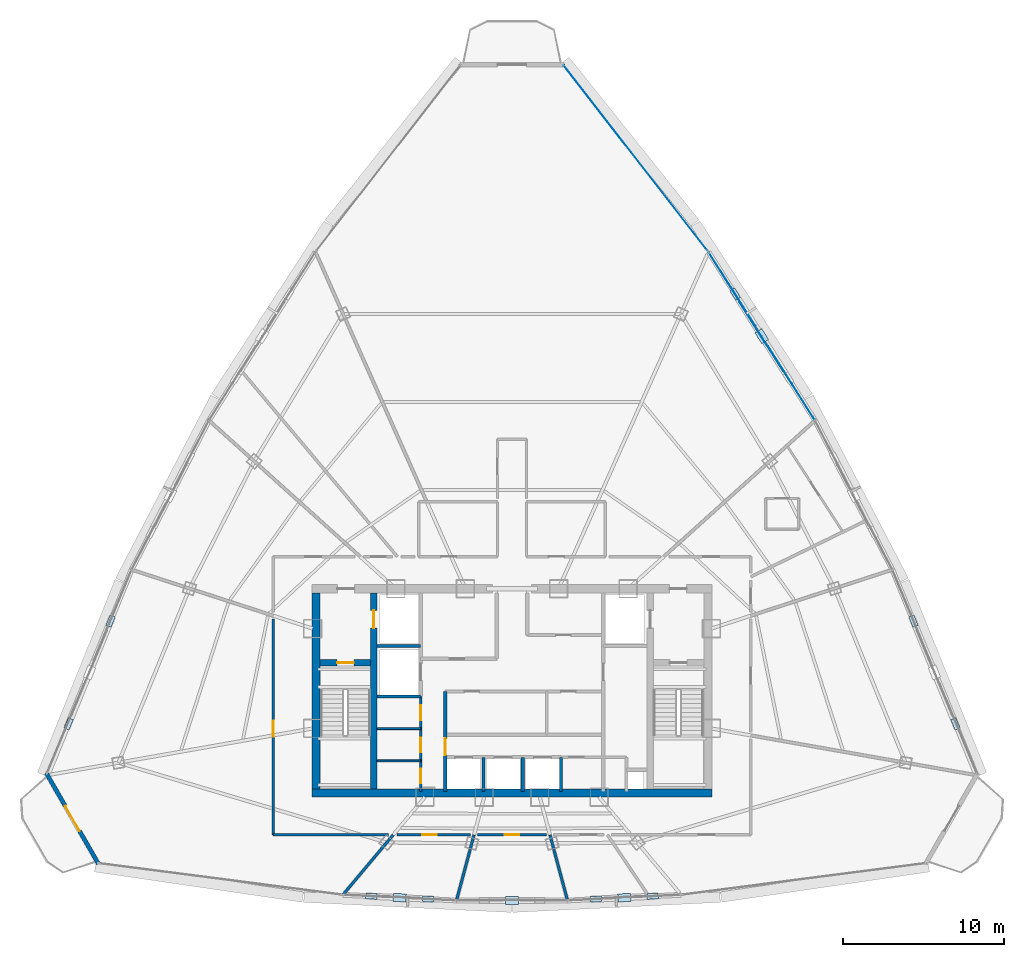
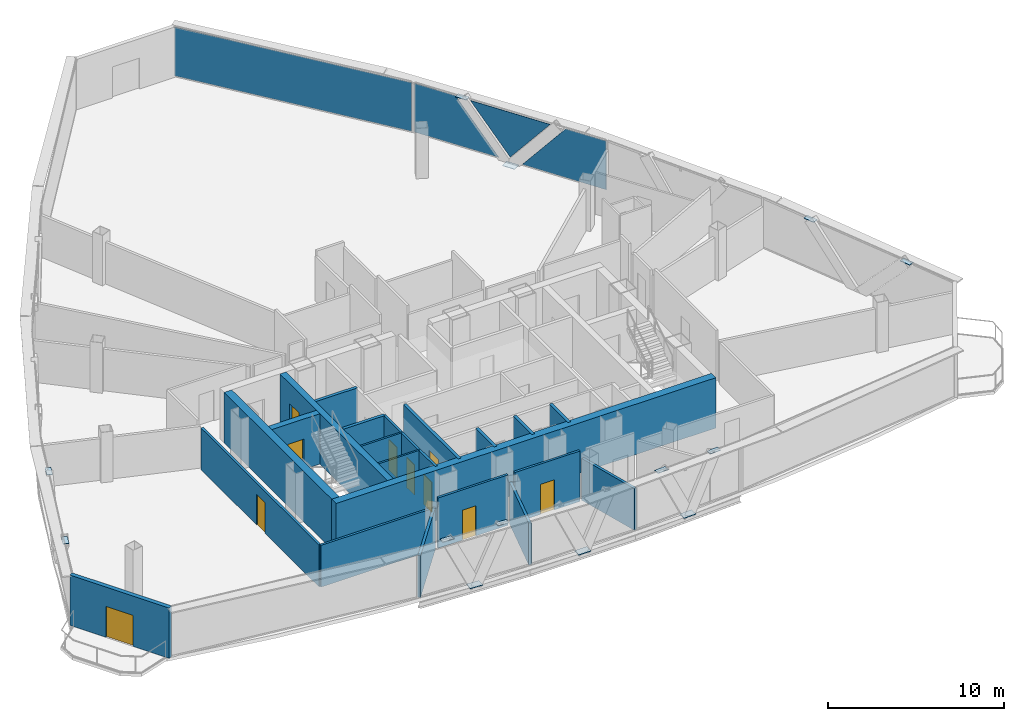
# One storey, part 27 of 33: 21 walls, 17 plates, 10 doors, 10 openings, 2 elements without a shape of their own.
"""IFC4 building model written with IfcOpenShell, lengths in metres."""

from ifc_helpers import new_model, si_unit, direction, frame, frame_2d, origin, origin_with_axes, origin_2d, place, context, subcontext, project, spatial, polyline, rectangle, outline, extrude, source, transform, mapped, material, layer, layer_set, type_object, element, fill, aggregate, save


model = new_model("IFC4")

# Units and contexts
model_context = context("Model", 3, precision=1e-05, world=origin(), true_north=direction((0.0, 1.0)))
body_context = subcontext(model_context, "Body", "Model", "MODEL_VIEW")
ifc_project = project(units=[si_unit("LENGTHUNIT", "METRE"), si_unit("AREAUNIT", "SQUARE_METRE"), si_unit("VOLUMEUNIT", "CUBIC_METRE"), si_unit("PLANEANGLEUNIT", "RADIAN"), si_unit("MASSUNIT", "GRAM", prefix="KILO"), si_unit("THERMODYNAMICTEMPERATUREUNIT", "KELVIN"), si_unit("POWERUNIT", "WATT")], contexts=[model_context])

# Site, building, storey
site_placement = place(None, origin())
site = spatial("IfcSite", under=ifc_project, at=site_placement, CompositionType="ELEMENT")
building_placement = place(site_placement, origin())
building = spatial("IfcBuilding", under=site, at=building_placement, Name="Yunzhuo Pagoda Commons", CompositionType="ELEMENT")
storey_placement = place(building_placement, frame((0.0, 0.0, 329.260009765625)))
storey = spatial("IfcBuildingStorey", under=building, at=storey_placement, Name="L82", CompositionType="ELEMENT", Elevation=329.260009765625)

# Curtain wall, plates
ifc_material_1 = material(Name="Anodized aluminium 6063-T6", Category="aluminium")
ifc_layer_1 = layer(ifc_material_1, 0.139892578125)
ifc_layer_set_1 = layer_set([ifc_layer_1], Name="Anodized aluminium 6063-T6")
curtain_wall_type = type_object("IfcCurtainWallType", Name="CW-HI High-Zone Ribbon Curtain Wall", PredefinedType="NOTDEFINED", material=ifc_layer_set_1)
curtain_wall_1_placement = place(storey_placement, origin())
curtain_wall_1 = element("IfcCurtainWall", 1, at=curtain_wall_1_placement, inside=storey, type_object=curtain_wall_type, Name="L82 curtain wall CW-L82-F2B4", PredefinedType="NOTDEFINED")
ifc_material_2 = material(Name="Tempered low-e double glazing", Category="glass")
ifc_layer_2 = layer(ifc_material_2, 0.02587890625)
ifc_layer_set_2 = layer_set([ifc_layer_2], Name="Tempered low-e double glazing")
plate_type_1 = type_object("IfcPlateType", Name="CW-HI-P Low-E Double Glazing 26", PredefinedType="CURTAIN_PANEL", material=ifc_layer_set_2)
plate_1_placement = place(storey_placement, frame((65.360595703125, 52.9853515625, 1.744873046875), z_axis=(0.845148830397, 0.534531060349, 0.0), x_axis=(-0.534531060349, 0.845148830397, 0.0)))
plate_1 = element("IfcPlate", 2, at=plate_1_placement, type_object=plate_type_1, Name="CW panel 1.1 lite 1", PredefinedType="CURTAIN_PANEL", context=body_context, shape_type="SweptSolid", body=[
    extrude(outline(polyline([(-2.692138671875, -1.68994140625), (2.692138671875, -1.68994140625), (-0.100830078125, 1.68994140625), (-2.692138671875, 1.68994140625), (-2.692138671875, -1.68994140625)])), origin(), (0.0, 0.0, 1.0), 0.028076171875),
])
plate_2_placement = place(storey_placement, frame((63.49365234375, 55.88134765625, 1.8857421875), z_axis=(0.845148830397, 0.534531060349, 0.0), x_axis=(-0.534531060349, 0.845148830397, 0.0)))
plate_2 = element("IfcPlate", 3, at=plate_2_placement, type_object=plate_type_1, Name="CW panel 1.1 lite 2", PredefinedType="CURTAIN_PANEL", context=body_context, shape_type="SweptSolid", body=[
    extrude(outline(polyline([(-2.560302734375, 1.54931640625), (0.0, -1.54931640625), (2.560302734375, 1.54931640625), (-2.560302734375, 1.54931640625)])), origin(), (0.0, 0.0, 1.0), 0.028076171875),
])
plate_3_placement = place(storey_placement, frame((61.67724609375, 58.80908203125, 1.744873046875), z_axis=(0.845148830397, 0.534531060349, 0.0), x_axis=(-0.534531060349, 0.845148830397, 0.0)))
plate_3 = element("IfcPlate", 4, at=plate_3_placement, type_object=plate_type_1, Name="CW panel 1.1 lite 3", PredefinedType="CURTAIN_PANEL", context=body_context, shape_type="SweptSolid", body=[
    extrude(outline(polyline([(-2.692138671875, -1.68994140625), (2.692138671875, -1.68994140625), (2.692138671875, 1.68994140625), (0.100830078125, 1.68994140625), (-2.692138671875, -1.68994140625)])), origin(), (0.0, 0.0, 1.0), 0.028076171875),
])
aggregate(curtain_wall_1, [plate_1, plate_2, plate_3])

# Plates
ifc_material_3 = material(Name="Structural steel Q355B", Category="steel")
ifc_layer_3 = layer(ifc_material_3, 0.028076171875)
ifc_layer_set_3 = layer_set([ifc_layer_3], Name="Structural steel Q355B")
plate_type_2 = type_object("IfcPlateType", Name="SP-ND1 Lattice Node Cap Plate 800x500x28", PredefinedType="USERDEFINED", material=ifc_layer_set_3)
shared_shape_1 = source(origin(), body_context, "Body", "SweptSolid", [
    extrude(rectangle(XDim=0.800048828125, YDim=0.5, at=origin_2d()), origin(), (0.0, 0.0, 1.0), 0.028076171875),
])
for number, where, z_axis, x_axis, name in (
    (5, (41.016845703125, 20.9931640625, -0.27392578125), (0.0, 0.0, 1.0), (0.998757045498, -0.049843395432, 0.0), "L82 diamond node plate F1.1A"),
    (6, (48.0, 20.81689453125, -0.27392578125), (0.0, 0.0, 1.0), (1.0, 0.0, 0.0), "L82 diamond node plate F1.2A"),
    (7, (54.983154296875, 20.9931640625, -0.27392578125), (0.0, 0.0, 1.0), (0.998757045498, 0.049843395432, 0.0), "L82 diamond node plate F1.3A"),
    (8, (63.531005859375, 55.90478515625, -0.27392578125), (0.0, 0.0, 1.0), (-0.534529368893, 0.84514990019, 0.0), "L82 diamond node plate F2.3A"),
):
    element("IfcPlate", number, at=place(storey_placement, frame(where, z_axis=z_axis, x_axis=x_axis)), inside=storey, type_object=plate_type_2, Name=name, ObjectType="STIFFENER_PLATE", PredefinedType="USERDEFINED", context=body_context, shape_type="MappedRepresentation", body=[
        mapped(shared_shape_1, transform((0.0, 0.0, 0.0), scale=1.0)),
    ])
shared_shape_2 = source(origin(), body_context, "Body", "SweptSolid", [
    extrude(rectangle(XDim=0.699951171875, YDim=0.35009765625, at=origin_2d()), origin(), (0.0, 0.0, 1.0), 0.035888671875),
])
for number, where, z_axis, x_axis, name in (
    (9, (39.251220703125, 21.081298828125, 3.4521484375), (0.0, 0.0, 1.0), (0.998757045498, -0.049843395432, 0.0), "L82 setback lattice tie plate F1.1L"),
    (10, (42.782470703125, 20.905029296875, 3.4521484375), (0.0, 0.0, 1.0), (0.998757045498, -0.049843395432, 0.0), "L82 setback lattice tie plate F1.1R"),
    (11, (53.217529296875, 20.905029296875, 3.4521484375), (0.0, 0.0, 1.0), (0.998757045498, 0.049843395432, 0.0), "L82 setback lattice tie plate F1.3L"),
    (12, (56.748779296875, 21.081298828125, 3.4521484375), (0.0, 0.0, 1.0), (0.998757045498, 0.049843395432, 0.0), "L82 setback lattice tie plate F1.3R"),
    (13, (75.571044921875, 31.80224609375, 3.4521484375), (0.0, 0.0, 1.0), (-0.378567847265, 0.925573543819, 0.0), "L82 setback lattice tie plate F2.1L"),
    (14, (72.9580078125, 38.190673828125, 3.4521484375), (0.0, 0.0, 1.0), (-0.378567847265, 0.925573543819, 0.0), "L82 setback lattice tie plate F2.1R"),
    (15, (61.87451171875, 58.523681640625, 3.4521484375), (0.0, 0.0, 1.0), (-0.534529368893, 0.84514990019, 0.0), "L82 setback lattice tie plate F2.3R"),
    (16, (23.0419921875, 38.190673828125, 3.4521484375), (0.0, 0.0, 1.0), (-0.378567847265, -0.925573543819, 0.0), "L82 setback lattice tie plate F3.3L"),
    (17, (20.428955078125, 31.80224609375, 3.4521484375), (0.0, 0.0, 1.0), (-0.378567847265, -0.925573543819, 0.0), "L82 setback lattice tie plate F3.3R"),
):
    element("IfcPlate", number, at=place(storey_placement, frame(where, z_axis=z_axis, x_axis=x_axis)), inside=storey, type_object=plate_type_2, Name=name, ObjectType="STIFFENER_PLATE", PredefinedType="USERDEFINED", context=body_context, shape_type="MappedRepresentation", body=[
        mapped(shared_shape_2, transform((0.0, 0.0, 0.0), scale=1.0)),
    ])

# Curtain wall, plate
curtain_wall_2_placement = place(storey_placement, origin())
curtain_wall_2 = element("IfcCurtainWall", 18, at=curtain_wall_2_placement, inside=storey, type_object=curtain_wall_type, Name="L82 curtain wall CW-L82-F2B5", PredefinedType="NOTDEFINED")
shared_shape_3 = source(origin(), body_context, "Body", "SweptSolid", [
    extrude(rectangle(XDim=14.537353515625, YDim=0.028076171875, at=origin_2d()), origin(), (0.0, 0.0, 1.0), 3.3798828125),
])
plate_4_placement = place(storey_placement, frame((55.680419921875, 66.99267578125, 0.054931640625), z_axis=(0.0, 0.0, 1.0), x_axis=(-0.612917502921, 0.790146906982, 0.0)))
plate_4 = element("IfcPlate", 19, at=plate_4_placement, type_object=plate_type_1, Name="CW panel 1.1", PredefinedType="CURTAIN_PANEL", context=body_context, shape_type="MappedRepresentation", body=[
    mapped(shared_shape_3, transform((0.0, 0.0, 0.0), scale=1.0)),
])
aggregate(curtain_wall_2, [plate_4])

# Wall, opening, door
ifc_material_4 = material(Name="Precast concrete C40", Category="concrete")
ifc_layer_4 = layer(ifc_material_4, 0.260009765625)
ifc_layer_set_4 = layer_set([ifc_layer_4], Name="Precast concrete C40")
wall_type_1 = type_object("IfcWallType", Name="W-BAL1 Corner Balcony Threshold Wall 260", PredefinedType="STANDARD", material=ifc_layer_set_4)
wall_1_placement = place(storey_placement, frame((19.044677734375, 28.739013671875, 0.0), z_axis=(0.0, 0.0, 1.0), x_axis=(0.49793434898, -0.867214727796, 0.0)))
wall_1 = element("IfcWall", 20, at=wall_1_placement, inside=storey, type_object=wall_type_1, Name="L82 corner balcony wall V1", PredefinedType="STANDARD", context=body_context, shape_type="SweptSolid", body=[
    extrude(rectangle(XDim=6.5126953125, YDim=0.260009765625, at=frame_2d((3.25634765625, 0.0))), origin(), (0.0, 0.0, 1.0), 3.489990234375),
])
opening_1_placement = place(wall_1_placement, frame((2.3564453125, 0.0, 0.0)))
opening_1 = element("IfcOpeningElement", 21, at=opening_1_placement, cuts=wall_1, Name="Opening D-BAL1", PredefinedType="OPENING", context=body_context, shape_type="SweptSolid", body=[
    extrude(rectangle(XDim=1.800048828125, YDim=2.14990234375, at=frame_2d((0.89990234375, 1.074951171875))), frame((0.0, 0.14013671875, 0.0), z_axis=(0.0, -1.0, 0.0), x_axis=(1.0, 0.0, 0.0)), (0.0, 0.0, 1.0), 0.280029296875),
])
ifc_material_5 = material(Name="Anodized aluminium frame and tempered glazed leaf", Category="aluminium")
door_type_1 = type_object("IfcDoorType", Name="D-BAL1 Corner Balcony Sliding Glazed Door 1800x2150", OperationType="DOUBLE_DOOR_SLIDING", PredefinedType="DOOR", material=ifc_material_5)
shared_shape_4 = source(origin(), body_context, "Body", "SweptSolid", [
    extrude(rectangle(XDim=1.800048828125, YDim=2.14990234375, at=frame_2d((0.89990234375, 1.074951171875))), frame((0.0, 0.02490234375, 0.0), z_axis=(0.0, -1.0, 0.0), x_axis=(1.0, 0.0, 0.0)), (0.0, 0.0, 1.0), 0.050048828125),
])
door_1_placement = place(opening_1_placement, origin_with_axes())
door_1 = element("IfcDoor", 22, at=door_1_placement, inside=storey, type_object=door_type_1, Name="L82 corner balcony sliding door V1", OperationType="DOUBLE_DOOR_SLIDING", OverallHeight=2.14990234375, OverallWidth=1.800048828125, PredefinedType="DOOR", context=body_context, shape_type="MappedRepresentation", body=[
    mapped(shared_shape_4, transform((0.0, 0.0, 0.0), scale=1.0)),
])
fill(opening_1, door_1)

# Walls
ifc_material_6 = material(Name="Concrete C50", Category="concrete")
ifc_layer_5 = layer(ifc_material_6, 0.5)
ifc_layer_set_5 = layer_set([ifc_layer_5], Name="Concrete C50")
wall_type_2 = type_object("IfcWallType", Name="W-C03 Upper Core Shear Wall 500", PredefinedType="SHEAR", material=ifc_layer_set_5)
wall_2_placement = place(storey_placement, frame((35.550048828125, 27.5, 0.0), z_axis=(0.0, 0.0, 1.0), x_axis=(1.0, 0.0, 0.0)))
element("IfcWall", 23, at=wall_2_placement, inside=storey, type_object=wall_type_2, Name="L82 core shear wall S", PredefinedType="SHEAR", context=body_context, shape_type="SweptSolid", body=[
    extrude(rectangle(XDim=24.89990234375, YDim=0.5, at=frame_2d((12.449951171875, 0.0))), origin(), (0.0, 0.0, 1.0), 3.489990234375),
])
wall_3_placement = place(storey_placement, frame((35.800048828125, 27.75, 0.0), z_axis=(0.0, 0.0, 1.0), x_axis=(0.0, 1.0, 0.0)))
element("IfcWall", 24, at=wall_3_placement, inside=storey, type_object=wall_type_2, Name="L82 core shear wall W", PredefinedType="SHEAR", context=body_context, shape_type="SweptSolid", body=[
    extrude(rectangle(XDim=12.199951171875, YDim=0.5, at=frame_2d((6.10009765625, 0.0))), origin(), (0.0, 0.0, 1.0), 3.489990234375),
])

# Wall, openings, doors
ifc_material_7 = material(Name="Gypsum plasterboard on acoustic stud")
ifc_layer_6 = layer(ifc_material_7, 0.14990234375)
ifc_layer_set_6 = layer_set([ifc_layer_6], Name="Gypsum plasterboard on acoustic stud")
wall_type_3 = type_object("IfcWallType", Name="W-COR3 High-Zone Rated Corridor Wall 150", PredefinedType="PARTITIONING", material=ifc_layer_set_6)
wall_4_placement = place(storey_placement, frame((42.320068359375, 27.60009765625, 0.0), z_axis=(0.0, 0.0, 1.0), x_axis=(0.0, 1.0, 0.0)))
wall_4 = element("IfcWall", 25, at=wall_4_placement, inside=storey, type_object=wall_type_3, Name="L82 interior wall IW-L82-CSWE", PredefinedType="PARTITIONING", context=body_context, shape_type="SweptSolid", body=[
    extrude(rectangle(XDim=5.89990234375, YDim=0.14990234375, at=frame_2d((2.949951171875, 0.0))), origin(), (0.0, 0.0, 1.0), 3.489990234375),
])
opening_2_placement = place(wall_4_placement, frame((0.5, 0.0, 0.0)))
opening_2 = element("IfcOpeningElement", 26, at=opening_2_placement, cuts=wall_4, Name="Opening D-03", PredefinedType="OPENING", context=body_context, shape_type="SweptSolid", body=[
    extrude(rectangle(XDim=0.89990234375, YDim=2.10009765625, at=frame_2d((0.449951171875, 1.050048828125))), frame((0.0, 0.0849609375, 0.0), z_axis=(0.0, -1.0, 0.0), x_axis=(1.0, 0.0, 0.0)), (0.0, 0.0, 1.0), 0.169921875),
])
opening_3_placement = place(wall_4_placement, frame((2.449951171875, 0.0, 0.0)))
opening_3 = element("IfcOpeningElement", 27, at=opening_3_placement, cuts=wall_4, Name="Opening D-03", PredefinedType="OPENING", context=body_context, shape_type="SweptSolid", body=[
    extrude(rectangle(XDim=0.89990234375, YDim=2.10009765625, at=frame_2d((0.449951171875, 1.050048828125))), frame((0.0, 0.0849609375, 0.0), z_axis=(0.0, -1.0, 0.0), x_axis=(1.0, 0.0, 0.0)), (0.0, 0.0, 1.0), 0.169921875),
])
opening_4_placement = place(wall_4_placement, frame((4.419921875, 0.0, 0.0)))
opening_4 = element("IfcOpeningElement", 28, at=opening_4_placement, cuts=wall_4, Name="Opening D-11", PredefinedType="OPENING", context=body_context, shape_type="SweptSolid", body=[
    extrude(rectangle(XDim=0.93994140625, YDim=2.10009765625, at=frame_2d((0.469970703125, 1.050048828125))), frame((0.0, 0.0849609375, 0.0), z_axis=(0.0, -1.0, 0.0), x_axis=(1.0, 0.0, 0.0)), (0.0, 0.0, 1.0), 0.169921875),
])
ifc_material_8 = material(Name="Galvanized fire-resisting metal leaf")
door_type_2 = type_object("IfcDoorType", Name="D-03 Core Service Fire Door 900x2100", OperationType="NOTDEFINED", PredefinedType="DOOR", material=ifc_material_8)
shared_shape_5 = source(origin(), body_context, "Body", "SweptSolid", [
    extrude(rectangle(XDim=0.89990234375, YDim=2.10009765625, at=frame_2d((0.449951171875, 1.050048828125))), frame((0.0, 0.02490234375, 0.0), z_axis=(0.0, -1.0, 0.0), x_axis=(1.0, 0.0, 0.0)), (0.0, 0.0, 1.0), 0.050048828125),
])
door_2_placement = place(opening_2_placement, origin_with_axes())
door_2 = element("IfcDoor", 29, at=door_2_placement, inside=storey, type_object=door_type_2, Name="L82 switch door", OperationType="SINGLE_SWING_RIGHT", OverallHeight=2.10009765625, OverallWidth=0.89990234375, PredefinedType="DOOR", context=body_context, shape_type="MappedRepresentation", body=[
    mapped(shared_shape_5, transform((0.0, 0.0, 0.0), scale=1.0)),
])
fill(opening_2, door_2)
door_3_placement = place(opening_3_placement, origin_with_axes())
door_3 = element("IfcDoor", 30, at=door_3_placement, inside=storey, type_object=door_type_2, Name="L82 cleaner door", OperationType="SINGLE_SWING_RIGHT", OverallHeight=2.10009765625, OverallWidth=0.89990234375, PredefinedType="DOOR", context=body_context, shape_type="MappedRepresentation", body=[
    mapped(shared_shape_5, transform((0.0, 0.0, 0.0), scale=1.0)),
])
fill(opening_3, door_3)
door_type_3 = type_object("IfcDoorType", Name="D-11 Accessible Washroom Fire Door 940x2100", OperationType="NOTDEFINED", PredefinedType="DOOR", material=ifc_material_8)
shared_shape_6 = source(origin(), body_context, "Body", "SweptSolid", [
    extrude(rectangle(XDim=0.93994140625, YDim=2.10009765625, at=frame_2d((0.469970703125, 1.050048828125))), frame((0.0, 0.02490234375, 0.0), z_axis=(0.0, -1.0, 0.0), x_axis=(1.0, 0.0, 0.0)), (0.0, 0.0, 1.0), 0.050048828125),
])
door_4_placement = place(opening_4_placement, origin_with_axes())
door_4 = element("IfcDoor", 31, at=door_4_placement, inside=storey, type_object=door_type_3, Name="L82 core WC door", OperationType="SINGLE_SWING_LEFT", OverallHeight=2.10009765625, OverallWidth=0.93994140625, PredefinedType="DOOR", context=body_context, shape_type="MappedRepresentation", body=[
    mapped(shared_shape_6, transform((0.0, 0.0, 0.0), scale=1.0)),
])
fill(opening_4, door_4)

# Wall, opening, door
wall_5_placement = place(storey_placement, frame((33.14990234375, 24.89990234375, 0.0), z_axis=(0.0, 0.0, 1.0), x_axis=(0.0, 1.0, 0.0)))
wall_5 = element("IfcWall", 32, at=wall_5_placement, inside=storey, type_object=wall_type_3, Name="L82 interior wall IW-L82-CWL01", PredefinedType="PARTITIONING", context=body_context, shape_type="SweptSolid", body=[
    extrude(rectangle(XDim=13.405517578125, YDim=0.14990234375, at=frame_2d((6.70263671875, 0.0))), origin(), (0.0, 0.0, 1.0), 2.889892578125),
])
opening_5_placement = place(wall_5_placement, frame((6.107666015625, 0.0, 0.0)))
opening_5 = element("IfcOpeningElement", 33, at=opening_5_placement, cuts=wall_5, Name="Opening D-08", PredefinedType="OPENING", context=body_context, shape_type="SweptSolid", body=[
    extrude(rectangle(XDim=0.97998046875, YDim=2.1201171875, at=frame_2d((0.489990234375, 1.06005859375))), frame((0.0, 0.0849609375, 0.0), z_axis=(0.0, -1.0, 0.0), x_axis=(1.0, 0.0, 0.0)), (0.0, 0.0, 1.0), 0.169921875),
])
door_type_4 = type_object("IfcDoorType", Name="D-08 High-Zone Suite Entrance Fire Door 980x2120", OperationType="NOTDEFINED", PredefinedType="DOOR", material=ifc_material_8)
shared_shape_7 = source(origin(), body_context, "Body", "SweptSolid", [
    extrude(rectangle(XDim=0.97998046875, YDim=2.1201171875, at=frame_2d((0.489990234375, 1.06005859375))), frame((0.0, 0.02490234375, 0.0), z_axis=(0.0, -1.0, 0.0), x_axis=(1.0, 0.0, 0.0)), (0.0, 0.0, 1.0), 0.050048828125),
])
door_5_placement = place(opening_5_placement, origin_with_axes())
door_5 = element("IfcDoor", 34, at=door_5_placement, inside=storey, type_object=door_type_4, Name="L82 Resident Co-Living Commons Hall door", OperationType="SINGLE_SWING_RIGHT", OverallHeight=2.1201171875, OverallWidth=0.97998046875, PredefinedType="DOOR", context=body_context, shape_type="MappedRepresentation", body=[
    mapped(shared_shape_7, transform((0.0, 0.0, 0.0), scale=1.0)),
])
fill(opening_5, door_5)

wall_6_placement = place(storey_placement, frame((50.13818359375, 24.89990234375, 0.0), z_axis=(0.0, 0.0, 1.0), x_axis=(-1.0, 0.0, 0.0)))
wall_6 = element("IfcWall", 35, at=wall_6_placement, inside=storey, type_object=wall_type_3, Name="L82 interior wall IW-L82-CWL17", PredefinedType="PARTITIONING", context=body_context, shape_type="SweptSolid", body=[
    extrude(rectangle(XDim=4.2763671875, YDim=0.14990234375, at=frame_2d((2.13818359375, 0.0))), origin(), (0.0, 0.0, 1.0), 3.489990234375),
])
opening_6_placement = place(wall_6_placement, frame((1.67822265625, 0.0, 0.0)))
opening_6 = element("IfcOpeningElement", 36, at=opening_6_placement, cuts=wall_6, Name="Opening D-12", PredefinedType="OPENING", context=body_context, shape_type="SweptSolid", body=[
    extrude(rectangle(XDim=0.89990234375, YDim=2.080078125, at=frame_2d((0.449951171875, 1.0400390625))), frame((0.0, 0.0849609375, 0.0), z_axis=(0.0, -1.0, 0.0), x_axis=(1.0, 0.0, 0.0)), (0.0, 0.0, 1.0), 0.169921875),
])
ifc_material_9 = material(Name="Powder-coated aluminium and timber acoustic leaf", Category="wood")
door_type_5 = type_object("IfcDoorType", Name="D-12 Quiet Study Interior Door 900x2080", OperationType="NOTDEFINED", PredefinedType="DOOR", material=ifc_material_9)
shared_shape_8 = source(origin(), body_context, "Body", "SweptSolid", [
    extrude(rectangle(XDim=0.89990234375, YDim=2.080078125, at=frame_2d((0.449951171875, 1.0400390625))), frame((0.0, 0.02490234375, 0.0), z_axis=(0.0, -1.0, 0.0), x_axis=(1.0, 0.0, 0.0)), (0.0, 0.0, 1.0), 0.050048828125),
])
door_6_placement = place(opening_6_placement, origin_with_axes())
door_6 = element("IfcDoor", 37, at=door_6_placement, inside=storey, type_object=door_type_5, Name="L82 study lounge 10 door", OperationType="SINGLE_SWING_RIGHT", OverallHeight=2.080078125, OverallWidth=0.89990234375, PredefinedType="DOOR", context=body_context, shape_type="MappedRepresentation", body=[
    mapped(shared_shape_8, transform((0.0, 0.0, 0.0), scale=1.0)),
])
fill(opening_6, door_6)

wall_7_placement = place(storey_placement, frame((45.414306640625, 24.89990234375, 0.0), z_axis=(0.0, 0.0, 1.0), x_axis=(-1.0, 0.0, 0.0)))
wall_7 = element("IfcWall", 38, at=wall_7_placement, inside=storey, type_object=wall_type_3, Name="L82 interior wall IW-L82-CWL18", PredefinedType="PARTITIONING", context=body_context, shape_type="SweptSolid", body=[
    extrude(rectangle(XDim=4.57861328125, YDim=0.14990234375, at=frame_2d((2.289306640625, 0.0))), origin(), (0.0, 0.0, 1.0), 3.489990234375),
])
opening_7_placement = place(wall_7_placement, frame((2.09326171875, 0.0, 0.0)))
opening_7 = element("IfcOpeningElement", 39, at=opening_7_placement, cuts=wall_7, Name="Opening D-12", PredefinedType="OPENING", context=body_context, shape_type="SweptSolid", body=[
    extrude(rectangle(XDim=0.89990234375, YDim=2.080078125, at=frame_2d((0.449951171875, 1.0400390625))), frame((0.0, 0.0849609375, 0.0), z_axis=(0.0, -1.0, 0.0), x_axis=(1.0, 0.0, 0.0)), (0.0, 0.0, 1.0), 0.169921875),
])
door_7_placement = place(opening_7_placement, origin_with_axes())
door_7 = element("IfcDoor", 40, at=door_7_placement, inside=storey, type_object=door_type_5, Name="L82 study lounge 09 door", OperationType="SINGLE_SWING_LEFT", OverallHeight=2.080078125, OverallWidth=0.89990234375, PredefinedType="DOOR", context=body_context, shape_type="MappedRepresentation", body=[
    mapped(shared_shape_8, transform((0.0, 0.0, 0.0), scale=1.0)),
])
fill(opening_7, door_7)

# Walls
wall_8_placement = place(storey_placement, frame((40.32861328125, 24.89990234375, 0.0), z_axis=(0.0, 0.0, 1.0), x_axis=(-1.0, 0.0, 0.0)))
element("IfcWall", 41, at=wall_8_placement, inside=storey, type_object=wall_type_3, Name="L82 interior wall IW-L82-CWL19", PredefinedType="PARTITIONING", context=body_context, shape_type="SweptSolid", body=[
    extrude(rectangle(XDim=7.1787109375, YDim=0.14990234375, at=frame_2d((3.58935546875, 0.0))), origin(), (0.0, 0.0, 1.0), 2.889892578125),
])
ifc_layer_7 = layer(ifc_material_7, 0.1201171875)
ifc_layer_set_7 = layer_set([ifc_layer_7], Name="Gypsum plasterboard on acoustic stud")
wall_type_4 = type_object("IfcWallType", Name="W-PRT1 Suite & Bathroom Partition 120", PredefinedType="PARTITIONING", material=ifc_layer_set_7)
for number, where, z_axis, x_axis, name in (
    (42, (39.60009765625, 29.5, 0.0), (0.0, 0.0, 1.0), (1.0, 0.0, 0.0), "L82 interior wall IW-L82-CC1"),
    (43, (39.60009765625, 31.5, 0.0), (0.0, 0.0, 1.0), (1.0, 0.0, 0.0), "L82 interior wall IW-L82-CC2"),
):
    element("IfcWall", number, at=place(storey_placement, frame(where, z_axis=z_axis, x_axis=x_axis)), inside=storey, type_object=wall_type_4, Name=name, PredefinedType="PARTITIONING", context=body_context, shape_type="SweptSolid", body=[
        extrude(rectangle(XDim=2.719970703125, YDim=0.1201171875, at=frame_2d((1.35986328125, 0.0))), origin(), (0.0, 0.0, 1.0), 3.489990234375),
    ])
ifc_layer_8 = layer(ifc_material_7, 0.169921875)
ifc_layer_set_8 = layer_set([ifc_layer_8], Name="Gypsum plasterboard on acoustic stud")
wall_type_5 = type_object("IfcWallType", Name="W-PRT4 High-Zone Demising Wall 170", PredefinedType="PARTITIONING", material=ifc_layer_set_8)
wall_9_placement = place(storey_placement, frame((40.615966796875, 24.89990234375, 0.0), z_axis=(0.0, 0.0, 1.0), x_axis=(-0.642804014728, -0.766030677355, 0.0)))
element("IfcWall", 44, at=wall_9_placement, inside=storey, type_object=wall_type_5, Name="L82 interior wall IW-L82-RAD08", PredefinedType="PARTITIONING", context=body_context, shape_type="SweptSolid", body=[
    extrude(rectangle(XDim=4.869873046875, YDim=0.169921875, at=frame_2d((2.43505859375, 0.0))), origin(), (0.0, 0.0, 1.0), 2.889892578125),
])
for number, where, z_axis, x_axis, name in (
    (45, (45.64208984375, 24.89990234375, 0.0), (0.0, 0.0, 1.0), (-0.258809221612, -0.965928458432, 0.0), "L82 interior wall IW-L82-RAD09"),
    (46, (50.35791015625, 24.89990234375, 0.0), (0.0, 0.0, 1.0), (0.258809221612, -0.965928458432, 0.0), "L82 interior wall IW-L82-RAD10"),
):
    element("IfcWall", number, at=place(storey_placement, frame(where, z_axis=z_axis, x_axis=x_axis)), inside=storey, type_object=wall_type_5, Name=name, PredefinedType="PARTITIONING", context=body_context, shape_type="SweptSolid", body=[
        extrude(rectangle(XDim=4.22705078125, YDim=0.169921875, at=frame_2d((2.113525390625, 0.0))), origin(), (0.0, 0.0, 1.0), 2.889892578125),
    ])

# Wall, opening, door
ifc_material_10 = material(Name="Concrete C60", Category="concrete")
ifc_layer_9 = layer(ifc_material_10, 0.39990234375)
ifc_layer_set_9 = layer_set([ifc_layer_9], Name="Concrete C60")
wall_type_6 = type_object("IfcWallType", Name="W-S01 Internal Core Shear Web 400", PredefinedType="SHEAR", material=ifc_layer_set_9)
wall_10_placement = place(storey_placement, frame((39.39990234375, 27.75, 0.0), z_axis=(0.0, 0.0, 1.0), x_axis=(0.0, 1.0, 0.0)))
wall_10 = element("IfcWall", 47, at=wall_10_placement, inside=storey, type_object=wall_type_6, Name="L82 core shear wall WEBW", PredefinedType="SHEAR", context=body_context, shape_type="SweptSolid", body=[
    extrude(rectangle(XDim=12.199951171875, YDim=0.39990234375, at=frame_2d((6.10009765625, 0.0))), origin(), (0.0, 0.0, 1.0), 3.489990234375),
])
opening_8_placement = place(wall_10_placement, frame((10.0, 0.0, 0.0)))
opening_8 = element("IfcOpeningElement", 48, at=opening_8_placement, cuts=wall_10, Name="Opening LD-01", PredefinedType="OPENING", context=body_context, shape_type="SweptSolid", body=[
    extrude(rectangle(XDim=1.10009765625, YDim=2.10009765625, at=frame_2d((0.550048828125, 1.050048828125))), frame((0.0, 0.2099609375, 0.0), z_axis=(0.0, -1.0, 0.0), x_axis=(1.0, 0.0, 0.0)), (0.0, 0.0, 1.0), 0.419921875),
])
door_type_6 = type_object("IfcDoorType", Name="LD-01 Firefighting Lift Landing Door 1100x2100", OperationType="DOUBLE_DOOR_SLIDING", PredefinedType="DOOR", material=ifc_material_8)
shared_shape_9 = source(origin(), body_context, "Body", "SweptSolid", [
    extrude(rectangle(XDim=1.10009765625, YDim=2.10009765625, at=frame_2d((0.550048828125, 1.050048828125))), frame((0.0, 0.02490234375, 0.0), z_axis=(0.0, -1.0, 0.0), x_axis=(1.0, 0.0, 0.0)), (0.0, 0.0, 1.0), 0.050048828125),
])
door_8_placement = place(opening_8_placement, frame((1.10009765625, 0.0, 0.0), z_axis=(0.0, 0.0, 1.0), x_axis=(-1.0, 0.0, 0.0)))
door_8 = element("IfcDoor", 49, at=door_8_placement, inside=storey, type_object=door_type_6, Name="L82 Firefighting lift FL-1 landing door", OperationType="DOUBLE_DOOR_SLIDING", OverallHeight=2.10009765625, OverallWidth=1.10009765625, PredefinedType="DOOR", context=body_context, shape_type="MappedRepresentation", body=[
    mapped(shared_shape_9, transform((0.0, 0.0, 0.0), scale=1.0)),
])
fill(opening_8, door_8)

wall_11_placement = place(storey_placement, frame((36.050048828125, 35.60009765625, 0.0), z_axis=(0.0, 0.0, 1.0), x_axis=(1.0, 0.0, 0.0)))
wall_11 = element("IfcWall", 50, at=wall_11_placement, inside=storey, type_object=wall_type_6, Name="L82 core shear wall STW", PredefinedType="SHEAR", context=body_context, shape_type="SweptSolid", body=[
    extrude(rectangle(XDim=3.14990234375, YDim=0.39990234375, at=frame_2d((1.574951171875, 0.0))), origin(), (0.0, 0.0, 1.0), 3.489990234375),
])
opening_9_placement = place(wall_11_placement, frame((1.070068359375, 0.0, 0.0)))
opening_9 = element("IfcOpeningElement", 51, at=opening_9_placement, cuts=wall_11, Name="Opening D-01", PredefinedType="OPENING", context=body_context, shape_type="SweptSolid", body=[
    extrude(rectangle(XDim=1.050048828125, YDim=2.10009765625, at=frame_2d((0.52490234375, 1.050048828125))), frame((0.0, 0.2099609375, 0.0), z_axis=(0.0, -1.0, 0.0), x_axis=(1.0, 0.0, 0.0)), (0.0, 0.0, 1.0), 0.419921875),
])
door_type_7 = type_object("IfcDoorType", Name="D-01 Smokeproof Stair Fire Door 1050x2100", OperationType="NOTDEFINED", PredefinedType="DOOR", material=ifc_material_8)
shared_shape_10 = source(origin(), body_context, "Body", "SweptSolid", [
    extrude(rectangle(XDim=1.050048828125, YDim=2.10009765625, at=frame_2d((0.52490234375, 1.050048828125))), frame((0.0, 0.02490234375, 0.0), z_axis=(0.0, -1.0, 0.0), x_axis=(1.0, 0.0, 0.0)), (0.0, 0.0, 1.0), 0.050048828125),
])
door_9_placement = place(opening_9_placement, frame((1.050048828125, 0.0, 0.0), z_axis=(0.0, 0.0, 1.0), x_axis=(-1.0, 0.0, 0.0)))
door_9 = element("IfcDoor", 52, at=door_9_placement, inside=storey, type_object=door_type_7, Name="L82 Stair ST1 fire door", OperationType="SINGLE_SWING_LEFT", OverallHeight=2.10009765625, OverallWidth=1.050048828125, PredefinedType="DOOR", context=body_context, shape_type="MappedRepresentation", body=[
    mapped(shared_shape_10, transform((0.0, 0.0, 0.0), scale=1.0)),
])
fill(opening_9, door_9)

# Walls
ifc_material_11 = material(Name="Concrete C40", Category="concrete")
ifc_layer_10 = layer(ifc_material_11, 0.199951171875)
ifc_layer_set_10 = layer_set([ifc_layer_10], Name="Concrete C40")
wall_type_7 = type_object("IfcWallType", Name="W-SHF Shaft & Stair Enclosure Wall 200", PredefinedType="SOLIDWALL", material=ifc_layer_set_10)
for number, where, z_axis, x_axis, name in (
    (53, (39.60009765625, 36.64990234375, 0.0), (0.0, 0.0, 1.0), (1.0, 0.0, 0.0), "L82 interior wall IW-L82-FL1S"),
    (54, (39.60009765625, 33.5, 0.0), (0.0, 0.0, 1.0), (1.0, 0.0, 0.0), "L82 interior wall IW-L82-SL1S"),
):
    element("IfcWall", number, at=place(storey_placement, frame(where, z_axis=z_axis, x_axis=x_axis)), inside=storey, type_object=wall_type_7, Name=name, PredefinedType="SOLIDWALL", context=body_context, shape_type="SweptSolid", body=[
        extrude(rectangle(XDim=2.719970703125, YDim=0.199951171875, at=frame_2d((1.35986328125, 0.0))), origin(), (0.0, 0.0, 1.0), 3.489990234375),
    ])

# Wall, opening, door
wall_12_placement = place(storey_placement, frame((43.85009765625, 27.60009765625, 0.0), z_axis=(0.0, 0.0, 1.0), x_axis=(0.0, 1.0, 0.0)))
wall_12 = element("IfcWall", 55, at=wall_12_placement, inside=storey, type_object=wall_type_7, Name="L82 interior wall IW-L82-PLMW", PredefinedType="SOLIDWALL", context=body_context, shape_type="SweptSolid", body=[
    extrude(rectangle(XDim=6.219970703125, YDim=0.199951171875, at=frame_2d((3.10986328125, 0.0))), origin(), (0.0, 0.0, 1.0), 3.489990234375),
])
opening_10_placement = place(wall_12_placement, frame((2.25, 0.0, 0.0)))
opening_10 = element("IfcOpeningElement", 56, at=opening_10_placement, cuts=wall_12, Name="Opening D-02", PredefinedType="OPENING", context=body_context, shape_type="SweptSolid", body=[
    extrude(rectangle(XDim=1.050048828125, YDim=2.10009765625, at=frame_2d((0.52490234375, 1.050048828125))), frame((0.0, 0.10986328125, 0.0), z_axis=(0.0, -1.0, 0.0), x_axis=(1.0, 0.0, 0.0)), (0.0, 0.0, 1.0), 0.219970703125),
])
door_type_8 = type_object("IfcDoorType", Name="D-02 Firefighting Lobby & Refuge Fire Door 1050x2100", OperationType="NOTDEFINED", PredefinedType="DOOR", material=ifc_material_8)
door_10_placement = place(opening_10_placement, frame((1.050048828125, 0.0, 0.0), z_axis=(0.0, 0.0, 1.0), x_axis=(-1.0, 0.0, 0.0)))
door_10 = element("IfcDoor", 57, at=door_10_placement, inside=storey, type_object=door_type_8, Name="L82 High-bank hall west door", OperationType="SINGLE_SWING_LEFT", OverallHeight=2.10009765625, OverallWidth=1.050048828125, PredefinedType="DOOR", context=body_context, shape_type="MappedRepresentation", body=[
    mapped(shared_shape_10, transform((0.0, 0.0, 0.0), scale=1.0)),
])
fill(opening_10, door_10)

# Walls
for number, where, z_axis, x_axis, name in (
    (58, (51.050048828125, 27.60009765625, 0.0), (0.0, 0.0, 1.0), (0.0, 1.0, 0.0), "L82 interior wall IW-L82-PLHE"),
    (59, (46.22509765625, 27.60009765625, 0.0), (0.0, 0.0, 1.0), (0.0, 1.0, 0.0), "L82 interior wall IW-L82-PLHD1"),
    (60, (48.675048828125, 27.60009765625, 0.0), (0.0, 0.0, 1.0), (0.0, 1.0, 0.0), "L82 interior wall IW-L82-PLHD2"),
):
    element("IfcWall", number, at=place(storey_placement, frame(where, z_axis=z_axis, x_axis=x_axis)), inside=storey, type_object=wall_type_7, Name=name, PredefinedType="SOLIDWALL", context=body_context, shape_type="SweptSolid", body=[
        extrude(rectangle(XDim=2.119873046875, YDim=0.199951171875, at=frame_2d((1.06005859375, 0.0))), origin(), (0.0, 0.0, 1.0), 3.489990234375),
    ])

save(model, "model.ifc")
